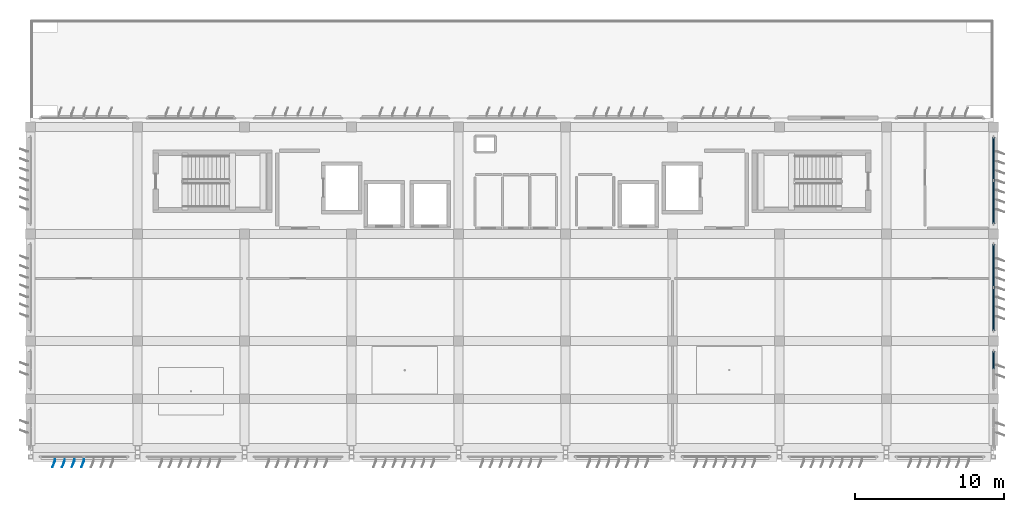
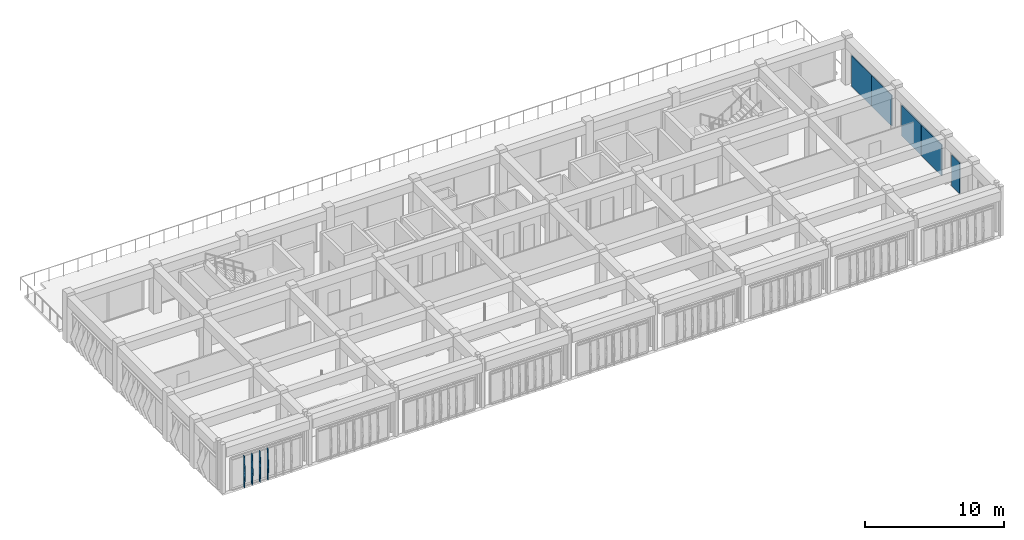
# One storey, part 28 of 42: 9 plates, 3 elements without a shape of their own.
"""IFC4 building model written with IfcOpenShell, lengths in metres."""

from ifc_helpers import new_model, si_unit, direction, frame, origin, origin_2d, place, context, subcontext, project, spatial, rectangle, extrude, polygons, material, layer, layer_set, type_object, element, aggregate, save


model = new_model("IFC4")

# Units and contexts
model_context = context("Model", 3, precision=1e-05, world=origin(), true_north=direction((0.0, 1.0)))
body_context = subcontext(model_context, "Body", "Model", "MODEL_VIEW")
ifc_project = project(units=[si_unit("LENGTHUNIT", "METRE"), si_unit("AREAUNIT", "SQUARE_METRE"), si_unit("VOLUMEUNIT", "CUBIC_METRE"), si_unit("PLANEANGLEUNIT", "RADIAN"), si_unit("MASSUNIT", "GRAM", prefix="KILO")], contexts=[model_context])

# Site, building, storey
site_placement = place(None, origin())
site = spatial("IfcSite", under=ifc_project, at=site_placement, CompositionType="ELEMENT")
building_placement = place(site_placement, origin())
building = spatial("IfcBuilding", under=site, at=building_placement, Name="Kazehaya Institute of Natural Sciences", CompositionType="ELEMENT")
storey_placement = place(building_placement, frame((0.0, 0.0, 37.6201171875)))
storey = spatial("IfcBuildingStorey", under=building, at=storey_placement, Name="L08", CompositionType="ELEMENT", Elevation=37.6201171875)

# Curtain wall, plate
ifc_material_1 = material(Name="Aluminium alloy A6063S-T5", Category="aluminium")
curtain_wall_type_1 = type_object("IfcCurtainWallType", Name="CW-SYS-09", PredefinedType="NOTDEFINED", material=ifc_material_1)
curtain_wall_1_placement = place(storey_placement, origin())
curtain_wall_1 = element("IfcCurtainWall", 1, at=curtain_wall_1_placement, inside=storey, type_object=curtain_wall_type_1, Name="L08 unitised curtain wall CW-L08-196", PredefinedType="NOTDEFINED")
ifc_material_2 = material(Name="Insulated bronze aluminium spandrel panel", Category="aluminium")
ifc_layer_1 = layer(ifc_material_2, 0.080078125, Name="Insulated bronze aluminium spandrel panel", Category="aluminium")
ifc_layer_set_1 = layer_set([ifc_layer_1], Name="Insulated bronze aluminium spandrel panel")
plate_type_1 = type_object("IfcPlateType", Name="CWP-06", PredefinedType="CURTAIN_PANEL", material=ifc_layer_set_1)
plate_1_placement = place(storey_placement, frame((119.39990234375, 12.68994140625, 0.06005859375), z_axis=(0.0, 0.0, 1.0), x_axis=(0.0, -1.0, 0.0)))
plate_1 = element("IfcPlate", 2, at=plate_1_placement, type_object=plate_type_1, Name="CW09 panel 1.1", PredefinedType="CURTAIN_PANEL", context=body_context, shape_type="SweptSolid", body=[
    extrude(rectangle(XDim=1.219970703125, YDim=0.080078125, at=origin_2d()), origin(), (0.0, 0.0, 1.0), 2.699951171875),
])
aggregate(curtain_wall_1, [plate_1])

# Curtain wall, plates
curtain_wall_type_2 = type_object("IfcCurtainWallType", Name="CW-SYS-10", PredefinedType="NOTDEFINED", material=ifc_material_1)
curtain_wall_2_placement = place(storey_placement, origin())
curtain_wall_2 = element("IfcCurtainWall", 3, at=curtain_wall_2_placement, inside=storey, type_object=curtain_wall_type_2, Name="L08 unitised curtain wall CW-L08-198", PredefinedType="NOTDEFINED")
plate_2_placement = place(storey_placement, frame((119.39990234375, 19.06494140625, 0.06005859375), z_axis=(0.0, 0.0, 1.0), x_axis=(0.0, -1.0, 0.0)))
plate_2 = element("IfcPlate", 4, at=plate_2_placement, type_object=plate_type_1, Name="CW10 panel 1.1", PredefinedType="CURTAIN_PANEL", context=body_context, shape_type="SweptSolid", body=[
    extrude(rectangle(XDim=2.8701171875, YDim=0.080078125, at=origin_2d()), origin(), (0.0, 0.0, 1.0), 2.699951171875),
])
plate_3_placement = place(storey_placement, frame((119.39990234375, 16.135009765625, 0.06005859375), z_axis=(0.0, 0.0, 1.0), x_axis=(0.0, -1.0, 0.0)))
plate_3 = element("IfcPlate", 5, at=plate_3_placement, type_object=plate_type_1, Name="CW10 panel 2.1", PredefinedType="CURTAIN_PANEL", context=body_context, shape_type="SweptSolid", body=[
    extrude(rectangle(XDim=2.8701171875, YDim=0.080078125, at=origin_2d()), origin(), (0.0, 0.0, 1.0), 2.699951171875),
])
aggregate(curtain_wall_2, [plate_2, plate_3])

curtain_wall_3_placement = place(storey_placement, origin())
curtain_wall_3 = element("IfcCurtainWall", 6, at=curtain_wall_3_placement, inside=storey, type_object=curtain_wall_type_2, Name="L08 unitised curtain wall CW-L08-200", PredefinedType="NOTDEFINED")
plate_4_placement = place(storey_placement, frame((119.39990234375, 26.264892578125, 0.06005859375), z_axis=(0.0, 0.0, 1.0), x_axis=(0.0, -1.0, 0.0)))
plate_4 = element("IfcPlate", 7, at=plate_4_placement, type_object=plate_type_1, Name="CW10 panel 1.1", PredefinedType="CURTAIN_PANEL", context=body_context, shape_type="SweptSolid", body=[
    extrude(rectangle(XDim=2.8701171875, YDim=0.080078125, at=origin_2d()), origin(), (0.0, 0.0, 1.0), 2.699951171875),
])
plate_5_placement = place(storey_placement, frame((119.39990234375, 23.3349609375, 0.06005859375), z_axis=(0.0, 0.0, 1.0), x_axis=(0.0, -1.0, 0.0)))
plate_5 = element("IfcPlate", 8, at=plate_5_placement, type_object=plate_type_1, Name="CW10 panel 2.1", PredefinedType="CURTAIN_PANEL", context=body_context, shape_type="SweptSolid", body=[
    extrude(rectangle(XDim=2.8701171875, YDim=0.080078125, at=origin_2d()), origin(), (0.0, 0.0, 1.0), 2.699951171875),
])
aggregate(curtain_wall_3, [plate_4, plate_5])

# Plates
ifc_material_3 = material(Name="Bronze-anodised aluminium alloy A6063S-T5", Category="aluminium")
ifc_layer_2 = layer(ifc_material_3, 0.02001953125, Name="Bronze-anodised aluminium alloy A6063S-T5", Category="aluminium")
ifc_layer_set_2 = layer_set([ifc_layer_2], Name="Bronze-anodised aluminium alloy A6063S-T5")
plate_type_2 = type_object("IfcPlateType", Name="FIN-DF-S1", PredefinedType="USERDEFINED", material=ifc_layer_set_2)
plate_6_placement = place(storey_placement, origin())
element("IfcPlate", 9, at=plate_6_placement, inside=storey, type_object=plate_type_2, Name="L08 folded diamond-pyramid shading fin FIN-L08-S-0761", ObjectType="SHADING_FIN", PredefinedType="USERDEFINED", context=body_context, shape_type="Tessellation", body=[
    polygons([(58.2099609375, 6.044921875, 0.039794921875), (58.2099609375, 5.89990234375, 0.039794921875), (58.03125, 5.489990234375, 1.409912109375), (58.2099609375, 5.89990234375, 2.77978515625), (58.2099609375, 6.044921875, 2.77978515625), (58.18994140625, 6.044921875, 0.039794921875), (58.18994140625, 5.89990234375, 0.039794921875), (58.01123046875, 5.489990234375, 1.409912109375), (58.18994140625, 5.89990234375, 2.77978515625), (58.18994140625, 6.044921875, 2.77978515625)], [[[1, 5, 4, 3, 2]], [[6, 7, 8, 9, 10]], [[1, 2, 7, 6]], [[2, 3, 8, 7]], [[3, 4, 9, 8]], [[4, 5, 10, 9]], [[5, 1, 6, 10]]], closed=True),
])
plate_7_placement = place(storey_placement, origin())
element("IfcPlate", 10, at=plate_7_placement, inside=storey, type_object=plate_type_2, Name="L08 folded diamond-pyramid shading fin FIN-L08-S-0762", ObjectType="SHADING_FIN", PredefinedType="USERDEFINED", context=body_context, shape_type="Tessellation", body=[
    polygons([(57.56005859375, 6.044921875, 0.039794921875), (57.56005859375, 5.89990234375, 0.039794921875), (57.38134765625, 5.489990234375, 1.409912109375), (57.56005859375, 5.89990234375, 2.77978515625), (57.56005859375, 6.044921875, 2.77978515625), (57.5400390625, 6.044921875, 0.039794921875), (57.5400390625, 5.89990234375, 0.039794921875), (57.361328125, 5.489990234375, 1.409912109375), (57.5400390625, 5.89990234375, 2.77978515625), (57.5400390625, 6.044921875, 2.77978515625)], [[[1, 5, 4, 3, 2]], [[6, 7, 8, 9, 10]], [[1, 2, 7, 6]], [[2, 3, 8, 7]], [[3, 4, 9, 8]], [[4, 5, 10, 9]], [[5, 1, 6, 10]]], closed=True),
])
plate_8_placement = place(storey_placement, origin())
element("IfcPlate", 11, at=plate_8_placement, inside=storey, type_object=plate_type_2, Name="L08 folded diamond-pyramid shading fin FIN-L08-S-0763", ObjectType="SHADING_FIN", PredefinedType="USERDEFINED", context=body_context, shape_type="Tessellation", body=[
    polygons([(56.909912109375, 6.044921875, 0.039794921875), (56.909912109375, 5.89990234375, 0.039794921875), (56.731201171875, 5.489990234375, 1.409912109375), (56.909912109375, 5.89990234375, 2.77978515625), (56.909912109375, 6.044921875, 2.77978515625), (56.889892578125, 6.044921875, 0.039794921875), (56.889892578125, 5.89990234375, 0.039794921875), (56.711181640625, 5.489990234375, 1.409912109375), (56.889892578125, 5.89990234375, 2.77978515625), (56.889892578125, 6.044921875, 2.77978515625)], [[[1, 5, 4, 3, 2]], [[6, 7, 8, 9, 10]], [[1, 2, 7, 6]], [[2, 3, 8, 7]], [[3, 4, 9, 8]], [[4, 5, 10, 9]], [[5, 1, 6, 10]]], closed=True),
])
plate_9_placement = place(storey_placement, origin())
element("IfcPlate", 12, at=plate_9_placement, inside=storey, type_object=plate_type_2, Name="L08 folded diamond-pyramid shading fin FIN-L08-S-0764", ObjectType="SHADING_FIN", PredefinedType="USERDEFINED", context=body_context, shape_type="Tessellation", body=[
    polygons([(56.260009765625, 6.044921875, 0.039794921875), (56.260009765625, 5.89990234375, 0.039794921875), (56.081298828125, 5.489990234375, 1.409912109375), (56.260009765625, 5.89990234375, 2.77978515625), (56.260009765625, 6.044921875, 2.77978515625), (56.239990234375, 6.044921875, 0.039794921875), (56.239990234375, 5.89990234375, 0.039794921875), (56.061279296875, 5.489990234375, 1.409912109375), (56.239990234375, 5.89990234375, 2.77978515625), (56.239990234375, 6.044921875, 2.77978515625)], [[[1, 5, 4, 3, 2]], [[6, 7, 8, 9, 10]], [[1, 2, 7, 6]], [[2, 3, 8, 7]], [[3, 4, 9, 8]], [[4, 5, 10, 9]], [[5, 1, 6, 10]]], closed=True),
])

save(model, "model.ifc")
